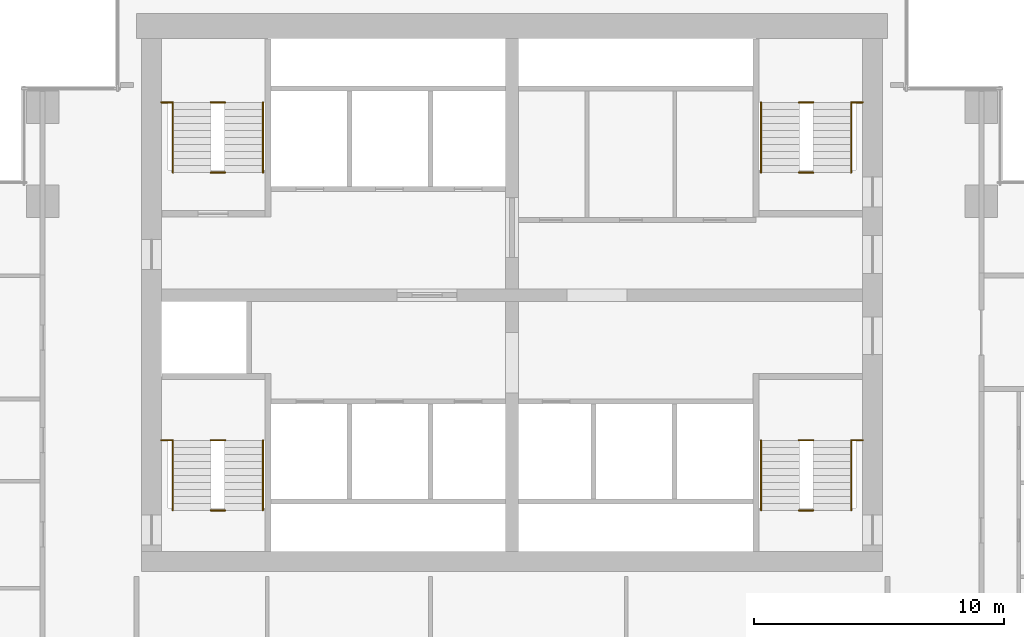
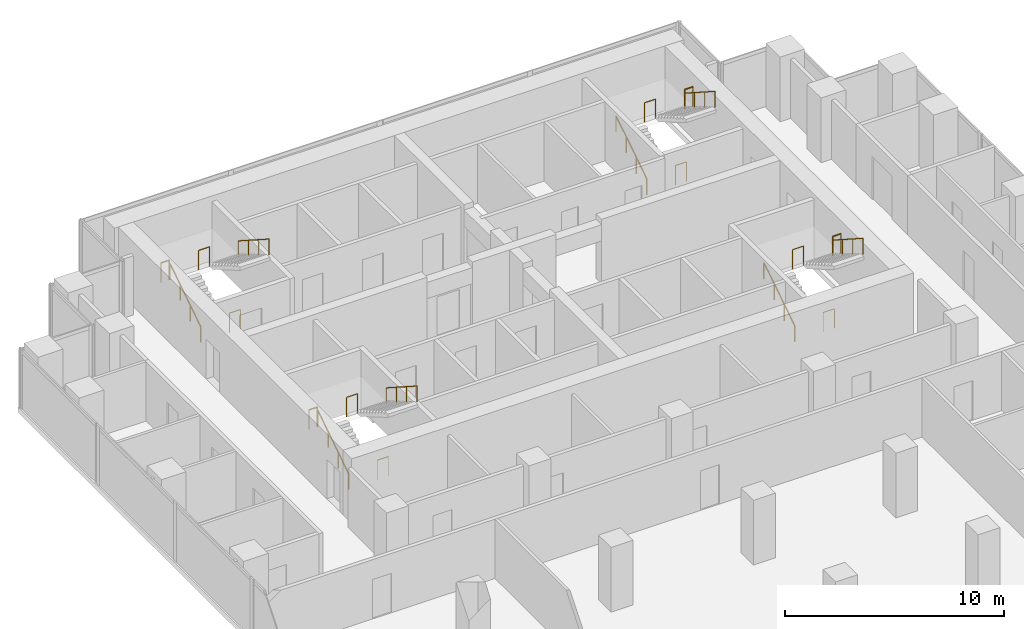
# One storey, part 10 of 10: 20 railings.
"""IFC4 building model written with IfcOpenShell, lengths in metres."""

from ifc_helpers import new_model, si_unit, direction, frame, origin, origin_2d, place, context, subcontext, project, spatial, circle, extrude, material, type_object, element, save


model = new_model("IFC4")

# Units and contexts
model_context = context("Model", 3, precision=1e-05, world=origin(), true_north=direction((0.0, 1.0)))
body_context = subcontext(model_context, "Body", "Model", "MODEL_VIEW")
ifc_project = project(units=[si_unit("LENGTHUNIT", "METRE"), si_unit("AREAUNIT", "SQUARE_METRE"), si_unit("VOLUMEUNIT", "CUBIC_METRE"), si_unit("PLANEANGLEUNIT", "RADIAN"), si_unit("MASSUNIT", "GRAM", prefix="KILO")], contexts=[model_context])

# Site, building, storey
site_placement = place(None, origin())
site = spatial("IfcSite", under=ifc_project, at=site_placement, CompositionType="ELEMENT")
building_placement = place(site_placement, origin())
building = spatial("IfcBuilding", under=site, at=building_placement, Name="Pilkhan Gate Tower", CompositionType="ELEMENT")
storey_placement = place(building_placement, frame((0.0, 0.0, 110.800048828125)))
storey = spatial("IfcBuildingStorey", under=building, at=storey_placement, Name="L27", CompositionType="ELEMENT", Elevation=110.800048828125)

# Railings
ifc_material_1 = material(Name="Black powder-coated steel tube", Category="steel")
railing_type_1 = type_object("IfcRailingType", Name="Stair handrail HR1", PredefinedType="HANDRAIL", material=ifc_material_1)
railing_1_placement = place(storey_placement, frame((84.949951171875, 73.89990234375, 0.0)))
element("IfcRailing", 1, at=railing_1_placement, inside=storey, type_object=railing_type_1, Name="Stair ST1 handrail L27", PredefinedType="HANDRAIL", context=body_context, shape_type="SweptSolid", body=[
    extrude(circle(Radius=0.02392578125, at=origin_2d()), frame((0.0, 0.0, 0.8759765625), z_axis=(0.0, 0.841176092368, 0.540761298198), x_axis=(-1.0, 0.0, 0.0)), (0.0, 0.0, 1.0), 3.32861328125),
    extrude(circle(Radius=0.02099609375, at=origin_2d()), origin(), (0.0, 0.0, 1.0), 0.851806640625),
    extrude(circle(Radius=0.02099609375, at=origin_2d()), frame((0.0, 0.933349609375, 0.60009765625)), (0.0, 0.0, 1.0), 0.851806640625),
    extrude(circle(Radius=0.02099609375, at=origin_2d()), frame((0.0, 1.86669921875, 1.199951171875)), (0.0, 0.0, 1.0), 0.851806640625),
    extrude(circle(Radius=0.02099609375, at=origin_2d()), frame((0.0, 2.800048828125, 1.800048828125)), (0.0, 0.0, 1.0), 0.851806640625),
])
railing_2_placement = place(storey_placement, frame((88.550048828125, 76.699951171875, 1.800048828125)))
element("IfcRailing", 2, at=railing_2_placement, inside=storey, type_object=railing_type_1, Name="Stair ST1 handrail L27", PredefinedType="HANDRAIL", context=body_context, shape_type="SweptSolid", body=[
    extrude(circle(Radius=0.02392578125, at=origin_2d()), frame((0.0, 0.0, 0.8759765625), z_axis=(0.0, -0.841209454229, 0.540709398952), x_axis=(1.0, 0.0, 0.0)), (0.0, 0.0, 1.0), 3.32861328125),
    extrude(circle(Radius=0.02099609375, at=origin_2d()), origin(), (0.0, 0.0, 1.0), 0.851806640625),
    extrude(circle(Radius=0.02099609375, at=origin_2d()), frame((0.0, -0.933349609375, 0.599853515625)), (0.0, 0.0, 1.0), 0.851806640625),
    extrude(circle(Radius=0.02099609375, at=origin_2d()), frame((0.0, -1.86669921875, 1.199951171875)), (0.0, 0.0, 1.0), 0.851806640625),
    extrude(circle(Radius=0.02099609375, at=origin_2d()), frame((0.0, -2.800048828125, 1.7998046875)), (0.0, 0.0, 1.0), 0.851806640625),
])
railing_3_placement = place(storey_placement, frame((61.449951171875, 73.89990234375, 0.0)))
element("IfcRailing", 3, at=railing_3_placement, inside=storey, type_object=railing_type_1, Name="Stair ST2 handrail L27", PredefinedType="HANDRAIL", context=body_context, shape_type="SweptSolid", body=[
    extrude(circle(Radius=0.02392578125, at=origin_2d()), frame((0.0, 0.0, 0.8759765625), z_axis=(0.0, 0.841176092368, 0.540761298198), x_axis=(-1.0, 0.0, 0.0)), (0.0, 0.0, 1.0), 3.32861328125),
    extrude(circle(Radius=0.02099609375, at=origin_2d()), origin(), (0.0, 0.0, 1.0), 0.851806640625),
    extrude(circle(Radius=0.02099609375, at=origin_2d()), frame((0.0, 0.933349609375, 0.60009765625)), (0.0, 0.0, 1.0), 0.851806640625),
    extrude(circle(Radius=0.02099609375, at=origin_2d()), frame((0.0, 1.86669921875, 1.199951171875)), (0.0, 0.0, 1.0), 0.851806640625),
    extrude(circle(Radius=0.02099609375, at=origin_2d()), frame((0.0, 2.800048828125, 1.800048828125)), (0.0, 0.0, 1.0), 0.851806640625),
])
railing_4_placement = place(storey_placement, frame((65.050048828125, 76.699951171875, 1.800048828125)))
element("IfcRailing", 4, at=railing_4_placement, inside=storey, type_object=railing_type_1, Name="Stair ST2 handrail L27", PredefinedType="HANDRAIL", context=body_context, shape_type="SweptSolid", body=[
    extrude(circle(Radius=0.02392578125, at=origin_2d()), frame((0.0, 0.0, 0.8759765625), z_axis=(0.0, -0.841209454229, 0.540709398952), x_axis=(1.0, 0.0, 0.0)), (0.0, 0.0, 1.0), 3.32861328125),
    extrude(circle(Radius=0.02099609375, at=origin_2d()), origin(), (0.0, 0.0, 1.0), 0.851806640625),
    extrude(circle(Radius=0.02099609375, at=origin_2d()), frame((0.0, -0.933349609375, 0.599853515625)), (0.0, 0.0, 1.0), 0.851806640625),
    extrude(circle(Radius=0.02099609375, at=origin_2d()), frame((0.0, -1.86669921875, 1.199951171875)), (0.0, 0.0, 1.0), 0.851806640625),
    extrude(circle(Radius=0.02099609375, at=origin_2d()), frame((0.0, -2.800048828125, 1.7998046875)), (0.0, 0.0, 1.0), 0.851806640625),
])
railing_5_placement = place(storey_placement, frame((61.449951171875, 87.39990234375, 0.0)))
element("IfcRailing", 5, at=railing_5_placement, inside=storey, type_object=railing_type_1, Name="Stair ST3 handrail L27", PredefinedType="HANDRAIL", context=body_context, shape_type="SweptSolid", body=[
    extrude(circle(Radius=0.02392578125, at=origin_2d()), frame((0.0, 0.0, 0.8759765625), z_axis=(0.0, 0.841176092368, 0.540761298198), x_axis=(-1.0, 0.0, 0.0)), (0.0, 0.0, 1.0), 3.32861328125),
    extrude(circle(Radius=0.02099609375, at=origin_2d()), origin(), (0.0, 0.0, 1.0), 0.851806640625),
    extrude(circle(Radius=0.02099609375, at=origin_2d()), frame((0.0, 0.933349609375, 0.60009765625)), (0.0, 0.0, 1.0), 0.851806640625),
    extrude(circle(Radius=0.02099609375, at=origin_2d()), frame((0.0, 1.86669921875, 1.199951171875)), (0.0, 0.0, 1.0), 0.851806640625),
    extrude(circle(Radius=0.02099609375, at=origin_2d()), frame((0.0, 2.800048828125, 1.800048828125)), (0.0, 0.0, 1.0), 0.851806640625),
])
railing_6_placement = place(storey_placement, frame((65.050048828125, 90.199951171875, 1.800048828125)))
element("IfcRailing", 6, at=railing_6_placement, inside=storey, type_object=railing_type_1, Name="Stair ST3 handrail L27", PredefinedType="HANDRAIL", context=body_context, shape_type="SweptSolid", body=[
    extrude(circle(Radius=0.02392578125, at=origin_2d()), frame((0.0, 0.0, 0.8759765625), z_axis=(0.0, -0.841209454229, 0.540709398952), x_axis=(1.0, 0.0, 0.0)), (0.0, 0.0, 1.0), 3.32861328125),
    extrude(circle(Radius=0.02099609375, at=origin_2d()), origin(), (0.0, 0.0, 1.0), 0.851806640625),
    extrude(circle(Radius=0.02099609375, at=origin_2d()), frame((0.0, -0.933349609375, 0.599853515625)), (0.0, 0.0, 1.0), 0.851806640625),
    extrude(circle(Radius=0.02099609375, at=origin_2d()), frame((0.0, -1.86669921875, 1.199951171875)), (0.0, 0.0, 1.0), 0.851806640625),
    extrude(circle(Radius=0.02099609375, at=origin_2d()), frame((0.0, -2.800048828125, 1.7998046875)), (0.0, 0.0, 1.0), 0.851806640625),
])
railing_7_placement = place(storey_placement, frame((84.949951171875, 87.39990234375, 0.0)))
element("IfcRailing", 7, at=railing_7_placement, inside=storey, type_object=railing_type_1, Name="Stair ST4 handrail L27", PredefinedType="HANDRAIL", context=body_context, shape_type="SweptSolid", body=[
    extrude(circle(Radius=0.02392578125, at=origin_2d()), frame((0.0, 0.0, 0.8759765625), z_axis=(0.0, 0.841176092368, 0.540761298198), x_axis=(-1.0, 0.0, 0.0)), (0.0, 0.0, 1.0), 3.32861328125),
    extrude(circle(Radius=0.02099609375, at=origin_2d()), origin(), (0.0, 0.0, 1.0), 0.851806640625),
    extrude(circle(Radius=0.02099609375, at=origin_2d()), frame((0.0, 0.933349609375, 0.60009765625)), (0.0, 0.0, 1.0), 0.851806640625),
    extrude(circle(Radius=0.02099609375, at=origin_2d()), frame((0.0, 1.86669921875, 1.199951171875)), (0.0, 0.0, 1.0), 0.851806640625),
    extrude(circle(Radius=0.02099609375, at=origin_2d()), frame((0.0, 2.800048828125, 1.800048828125)), (0.0, 0.0, 1.0), 0.851806640625),
])
railing_8_placement = place(storey_placement, frame((88.550048828125, 90.199951171875, 1.800048828125)))
element("IfcRailing", 8, at=railing_8_placement, inside=storey, type_object=railing_type_1, Name="Stair ST4 handrail L27", PredefinedType="HANDRAIL", context=body_context, shape_type="SweptSolid", body=[
    extrude(circle(Radius=0.02392578125, at=origin_2d()), frame((0.0, 0.0, 0.8759765625), z_axis=(0.0, -0.841209454229, 0.540709398952), x_axis=(1.0, 0.0, 0.0)), (0.0, 0.0, 1.0), 3.32861328125),
    extrude(circle(Radius=0.02099609375, at=origin_2d()), origin(), (0.0, 0.0, 1.0), 0.851806640625),
    extrude(circle(Radius=0.02099609375, at=origin_2d()), frame((0.0, -0.933349609375, 0.599853515625)), (0.0, 0.0, 1.0), 0.851806640625),
    extrude(circle(Radius=0.02099609375, at=origin_2d()), frame((0.0, -1.86669921875, 1.199951171875)), (0.0, 0.0, 1.0), 0.851806640625),
    extrude(circle(Radius=0.02099609375, at=origin_2d()), frame((0.0, -2.800048828125, 1.7998046875)), (0.0, 0.0, 1.0), 0.851806640625),
])
ifc_material_2 = material(Name="Black powder-coated steel balusters", Category="steel")
railing_type_2 = type_object("IfcRailingType", Name="Stair well guard G3", PredefinedType="GUARDRAIL", material=ifc_material_2)
railing_9_placement = place(storey_placement, frame((88.580078125, 76.699951171875, 1.800048828125)))
element("IfcRailing", 9, at=railing_9_placement, inside=storey, type_object=railing_type_2, Name="Stair ST1 well guard L27", PredefinedType="GUARDRAIL", context=body_context, shape_type="SweptSolid", body=[
    extrude(circle(Radius=0.02392578125, at=origin_2d()), frame((0.0, 0.0, 1.076171875), z_axis=(1.0, 0.0, 0.0), x_axis=(0.0, 1.0, 0.0)), (0.0, 0.0, 1.0), 0.43994140625),
    extrude(circle(Radius=0.02099609375, at=origin_2d()), origin(), (0.0, 0.0, 1.0), 1.052001953125),
    extrude(circle(Radius=0.02099609375, at=origin_2d()), frame((0.43994140625, 0.0, 0.0)), (0.0, 0.0, 1.0), 1.052001953125),
])
for number, where, name in (
    (10, (86.4599609375, 73.89990234375, 0.0), "Stair ST1 well guard L27"),
    (11, (86.4599609375, 76.699951171875, 1.800048828125), "Stair ST1 well guard L27"),
):
    element("IfcRailing", number, at=place(storey_placement, frame(where)), inside=storey, type_object=railing_type_2, Name=name, PredefinedType="GUARDRAIL", context=body_context, shape_type="SweptSolid", body=[
        extrude(circle(Radius=0.02392578125, at=origin_2d()), frame((0.0, 0.0, 1.076171875), z_axis=(1.0, 0.0, 0.0), x_axis=(0.0, 1.0, 0.0)), (0.0, 0.0, 1.0), 0.580078125),
        extrude(circle(Radius=0.02099609375, at=origin_2d()), origin(), (0.0, 0.0, 1.0), 1.052001953125),
        extrude(circle(Radius=0.02099609375, at=origin_2d()), frame((0.580078125, 0.0, 0.0)), (0.0, 0.0, 1.0), 1.052001953125),
    ])
railing_10_placement = place(storey_placement, frame((60.97998046875, 76.699951171875, 1.800048828125)))
element("IfcRailing", 12, at=railing_10_placement, inside=storey, type_object=railing_type_2, Name="Stair ST2 well guard L27", PredefinedType="GUARDRAIL", context=body_context, shape_type="SweptSolid", body=[
    extrude(circle(Radius=0.02392578125, at=origin_2d()), frame((0.0, 0.0, 1.076171875), z_axis=(1.0, 0.0, 0.0), x_axis=(0.0, 1.0, 0.0)), (0.0, 0.0, 1.0), 0.43994140625),
    extrude(circle(Radius=0.02099609375, at=origin_2d()), origin(), (0.0, 0.0, 1.0), 1.052001953125),
    extrude(circle(Radius=0.02099609375, at=origin_2d()), frame((0.43994140625, 0.0, 0.0)), (0.0, 0.0, 1.0), 1.052001953125),
])
for number, where, name in (
    (13, (62.9599609375, 73.89990234375, 0.0), "Stair ST2 well guard L27"),
    (14, (62.9599609375, 76.699951171875, 1.800048828125), "Stair ST2 well guard L27"),
):
    element("IfcRailing", number, at=place(storey_placement, frame(where)), inside=storey, type_object=railing_type_2, Name=name, PredefinedType="GUARDRAIL", context=body_context, shape_type="SweptSolid", body=[
        extrude(circle(Radius=0.02392578125, at=origin_2d()), frame((0.0, 0.0, 1.076171875), z_axis=(1.0, 0.0, 0.0), x_axis=(0.0, 1.0, 0.0)), (0.0, 0.0, 1.0), 0.580078125),
        extrude(circle(Radius=0.02099609375, at=origin_2d()), origin(), (0.0, 0.0, 1.0), 1.052001953125),
        extrude(circle(Radius=0.02099609375, at=origin_2d()), frame((0.580078125, 0.0, 0.0)), (0.0, 0.0, 1.0), 1.052001953125),
    ])
railing_11_placement = place(storey_placement, frame((60.97998046875, 90.199951171875, 1.800048828125)))
element("IfcRailing", 15, at=railing_11_placement, inside=storey, type_object=railing_type_2, Name="Stair ST3 well guard L27", PredefinedType="GUARDRAIL", context=body_context, shape_type="SweptSolid", body=[
    extrude(circle(Radius=0.02392578125, at=origin_2d()), frame((0.0, 0.0, 1.076171875), z_axis=(1.0, 0.0, 0.0), x_axis=(0.0, 1.0, 0.0)), (0.0, 0.0, 1.0), 0.43994140625),
    extrude(circle(Radius=0.02099609375, at=origin_2d()), origin(), (0.0, 0.0, 1.0), 1.052001953125),
    extrude(circle(Radius=0.02099609375, at=origin_2d()), frame((0.43994140625, 0.0, 0.0)), (0.0, 0.0, 1.0), 1.052001953125),
])
for number, where, name in (
    (16, (62.9599609375, 87.39990234375, 0.0), "Stair ST3 well guard L27"),
    (17, (62.9599609375, 90.199951171875, 1.800048828125), "Stair ST3 well guard L27"),
):
    element("IfcRailing", number, at=place(storey_placement, frame(where)), inside=storey, type_object=railing_type_2, Name=name, PredefinedType="GUARDRAIL", context=body_context, shape_type="SweptSolid", body=[
        extrude(circle(Radius=0.02392578125, at=origin_2d()), frame((0.0, 0.0, 1.076171875), z_axis=(1.0, 0.0, 0.0), x_axis=(0.0, 1.0, 0.0)), (0.0, 0.0, 1.0), 0.580078125),
        extrude(circle(Radius=0.02099609375, at=origin_2d()), origin(), (0.0, 0.0, 1.0), 1.052001953125),
        extrude(circle(Radius=0.02099609375, at=origin_2d()), frame((0.580078125, 0.0, 0.0)), (0.0, 0.0, 1.0), 1.052001953125),
    ])
railing_12_placement = place(storey_placement, frame((88.580078125, 90.199951171875, 1.800048828125)))
element("IfcRailing", 18, at=railing_12_placement, inside=storey, type_object=railing_type_2, Name="Stair ST4 well guard L27", PredefinedType="GUARDRAIL", context=body_context, shape_type="SweptSolid", body=[
    extrude(circle(Radius=0.02392578125, at=origin_2d()), frame((0.0, 0.0, 1.076171875), z_axis=(1.0, 0.0, 0.0), x_axis=(0.0, 1.0, 0.0)), (0.0, 0.0, 1.0), 0.43994140625),
    extrude(circle(Radius=0.02099609375, at=origin_2d()), origin(), (0.0, 0.0, 1.0), 1.052001953125),
    extrude(circle(Radius=0.02099609375, at=origin_2d()), frame((0.43994140625, 0.0, 0.0)), (0.0, 0.0, 1.0), 1.052001953125),
])
for number, where, name in (
    (19, (86.4599609375, 87.39990234375, 0.0), "Stair ST4 well guard L27"),
    (20, (86.4599609375, 90.199951171875, 1.800048828125), "Stair ST4 well guard L27"),
):
    element("IfcRailing", number, at=place(storey_placement, frame(where)), inside=storey, type_object=railing_type_2, Name=name, PredefinedType="GUARDRAIL", context=body_context, shape_type="SweptSolid", body=[
        extrude(circle(Radius=0.02392578125, at=origin_2d()), frame((0.0, 0.0, 1.076171875), z_axis=(1.0, 0.0, 0.0), x_axis=(0.0, 1.0, 0.0)), (0.0, 0.0, 1.0), 0.580078125),
        extrude(circle(Radius=0.02099609375, at=origin_2d()), origin(), (0.0, 0.0, 1.0), 1.052001953125),
        extrude(circle(Radius=0.02099609375, at=origin_2d()), frame((0.580078125, 0.0, 0.0)), (0.0, 0.0, 1.0), 1.052001953125),
    ])

save(model, "model.ifc")
